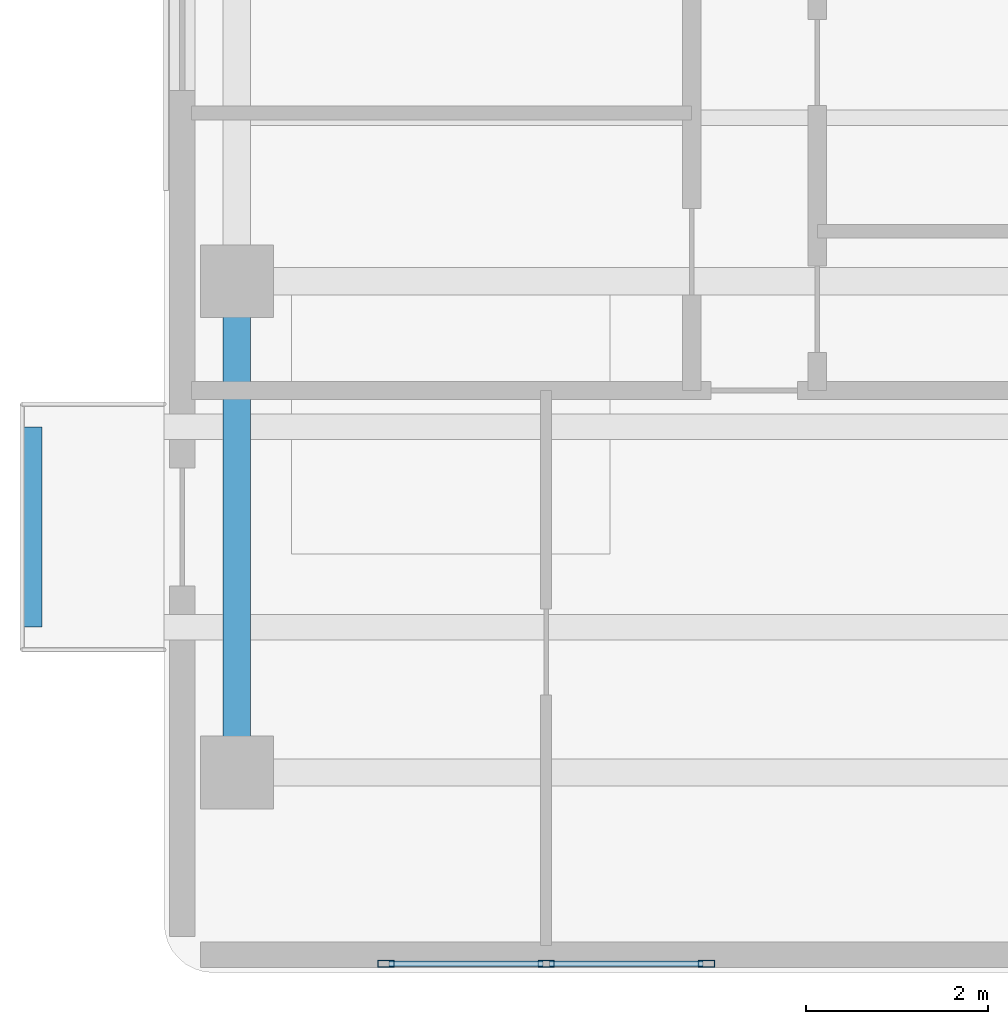
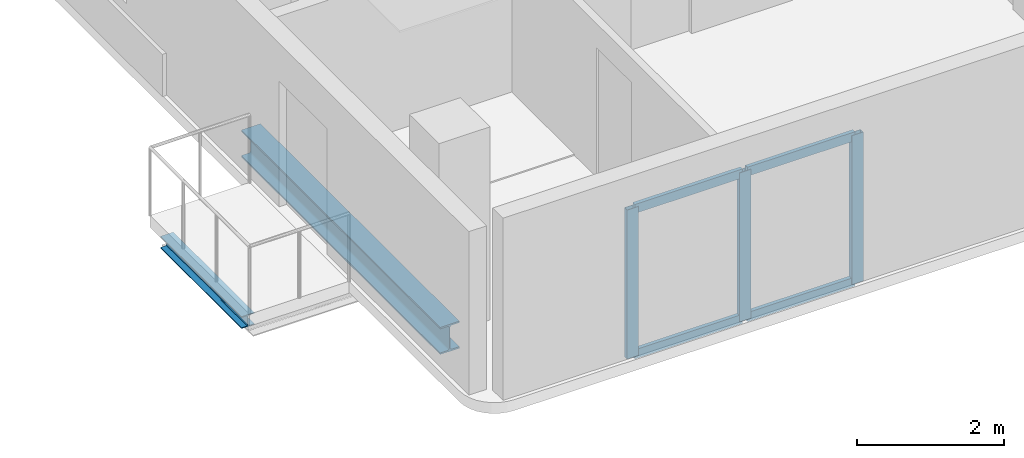
# One storey, part 2 of 11: 7 members, 2 beams, 1 element without a shape of its own.
"""IFC4 building model written with IfcOpenShell, lengths in metres."""

from ifc_helpers import new_model, si_unit, direction, frame, origin, origin_2d, place, context, subcontext, project, spatial, hollow_rectangle, i_section, extrude, material, material_profile, profile_set, type_object, element, aggregate, save


model = new_model("IFC4")

# Units and contexts
model_context = context("Model", 3, precision=1e-05, world=origin(), true_north=direction((0.0, 1.0)))
body_context = subcontext(model_context, "Body", "Model", "MODEL_VIEW")
ifc_project = project(units=[si_unit("LENGTHUNIT", "METRE"), si_unit("AREAUNIT", "SQUARE_METRE"), si_unit("VOLUMEUNIT", "CUBIC_METRE"), si_unit("PLANEANGLEUNIT", "RADIAN"), si_unit("MASSUNIT", "GRAM", prefix="KILO")], contexts=[model_context])

# Site, building, storey
site_placement = place(None, origin())
site = spatial("IfcSite", under=ifc_project, at=site_placement, CompositionType="ELEMENT")
building_placement = place(site_placement, origin())
building = spatial("IfcBuilding", under=site, at=building_placement, Name="Kuzgunbayir Cultural Tower", CompositionType="ELEMENT")
storey_placement = place(building_placement, frame((0.0, 0.0, 234.39990234375)))
storey = spatial("IfcBuildingStorey", under=building, at=storey_placement, Name="L69", CompositionType="ELEMENT", Elevation=234.39990234375)

# Beams
ifc_material_1 = material(Name="Steel S355J2", Category="steel")
ifc_material_profile_1 = material_profile(ifc_material_1, i_section(OverallWidth=0.199951171875, OverallDepth=0.199951171875, WebThickness=0.009033203125, FlangeThickness=0.014892578125, FilletRadius=0.01806640625, at=origin_2d()), Name="HEB 200")
ifc_profile_set_1 = profile_set([ifc_material_profile_1], Name="Steel S355J2")
beam_type_1 = type_object("IfcBeamType", Name="BM-CAN-HEB200", PredefinedType="BEAM", material=ifc_profile_set_1)
beam_1_placement = place(storey_placement, frame((3.159912109375, 14.199951171875, -0.2998046875), z_axis=(0.0, 1.0, 0.0), x_axis=(-1.0, 0.0, 0.0)))
element("IfcBeam", 1, at=beam_1_placement, inside=storey, type_object=beam_type_1, Name="L69 Balcony Edge Header BAL-L69-WA1", PredefinedType="BEAM", context=body_context, shape_type="SweptSolid", body=[
    extrude(i_section(OverallWidth=0.199951171875, OverallDepth=0.199951171875, WebThickness=0.009033203125, FlangeThickness=0.014892578125, FilletRadius=0.01806640625, at=origin_2d()), origin(), (0.0, 0.0, 1.0), 2.199951171875),
])
ifc_material_profile_2 = material_profile(ifc_material_1, i_section(OverallWidth=0.300048828125, OverallDepth=0.449951171875, WebThickness=0.013916015625, FlangeThickness=0.02587890625, FilletRadius=0.027099609375, at=origin_2d()), Name="HEB 450")
ifc_profile_set_2 = profile_set([ifc_material_profile_2], Name="Steel S355J2")
beam_type_2 = type_object("IfcBeamType", Name="BM-EXT-HEB450", PredefinedType="BEAM", material=ifc_profile_set_2)
beam_2_placement = place(storey_placement, frame((5.39990234375, 12.60009765625, -0.39990234375), z_axis=(0.0, 1.0, 0.0), x_axis=(-1.0, 0.0, 0.0)))
element("IfcBeam", 2, at=beam_2_placement, inside=storey, type_object=beam_type_2, Name="L69 Wing A West Girder 1", PredefinedType="BEAM", context=body_context, shape_type="SweptSolid", body=[
    extrude(i_section(OverallWidth=0.300048828125, OverallDepth=0.449951171875, WebThickness=0.013916015625, FlangeThickness=0.02587890625, FilletRadius=0.027099609375, at=origin_2d()), origin(), (0.0, 0.0, 1.0), 5.39990234375),
])

# Curtain wall, members
ifc_material_2 = material(Name="Anodised Aluminium Framing", Category="aluminium")
curtain_wall_type = type_object("IfcCurtainWallType", Name="CW06-OBSERVATORY", PredefinedType="NOTDEFINED", material=ifc_material_2)
curtain_wall_placement = place(storey_placement, origin())
curtain_wall = element("IfcCurtainWall", 3, at=curtain_wall_placement, inside=storey, type_object=curtain_wall_type, Name="L69 Crown Observatory South Curtain Wall", PredefinedType="NOTDEFINED")
ifc_material_profile_3 = material_profile(ifc_material_2, hollow_rectangle(XDim=0.074951171875, YDim=0.179931640625, WallThickness=0.0048828125, at=origin_2d()), Name="RHS 180x75x5")
ifc_profile_set_3 = profile_set([ifc_material_profile_3], Name="Anodised Aluminium Framing")
member_type_1 = type_object("IfcMemberType", Name="MEM-CW-MULLION-180", PredefinedType="MULLION", material=ifc_profile_set_3)
member_1_placement = place(storey_placement, frame((7.03759765625, 10.5, 0.0), z_axis=(0.0, 0.0, 1.0), x_axis=(0.0, 1.0, 0.0)))
member_1 = element("IfcMember", 4, at=member_1_placement, type_object=member_type_1, Name="CW06 mullion 1", PredefinedType="MULLION", context=body_context, shape_type="SweptSolid", body=[
    extrude(hollow_rectangle(XDim=0.074951171875, YDim=0.179931640625, WallThickness=0.0048828125, at=origin_2d()), origin(), (0.0, 0.0, 1.0), 2.47021484375),
])
member_2_placement = place(storey_placement, frame((8.800048828125, 10.5, 0.0), z_axis=(0.0, 0.0, 1.0), x_axis=(0.0, 1.0, 0.0)))
member_2 = element("IfcMember", 5, at=member_2_placement, type_object=member_type_1, Name="CW06 mullion 2", PredefinedType="MULLION", context=body_context, shape_type="SweptSolid", body=[
    extrude(hollow_rectangle(XDim=0.074951171875, YDim=0.179931640625, WallThickness=0.0048828125, at=origin_2d()), origin(), (0.0, 0.0, 1.0), 2.47021484375),
])
member_3_placement = place(storey_placement, frame((10.5625, 10.5, 0.0), z_axis=(0.0, 0.0, 1.0), x_axis=(0.0, 1.0, 0.0)))
member_3 = element("IfcMember", 6, at=member_3_placement, type_object=member_type_1, Name="CW06 mullion 3", PredefinedType="MULLION", context=body_context, shape_type="SweptSolid", body=[
    extrude(hollow_rectangle(XDim=0.074951171875, YDim=0.179931640625, WallThickness=0.0048828125, at=origin_2d()), origin(), (0.0, 0.0, 1.0), 2.47021484375),
])
ifc_material_profile_4 = material_profile(ifc_material_2, hollow_rectangle(XDim=0.06005859375, YDim=0.14990234375, WallThickness=0.00390625, at=origin_2d()), Name="RHS 150x60x4")
ifc_profile_set_4 = profile_set([ifc_material_profile_4], Name="Anodised Aluminium Framing")
member_type_2 = type_object("IfcMemberType", Name="MEM-CW-TRANSOM-150", PredefinedType="USERDEFINED", material=ifc_profile_set_4)
member_4_placement = place(storey_placement, frame((7.074951171875, 10.5, 0.030029296875), z_axis=(1.0, 0.0, 0.0), x_axis=(0.0, 1.0, 0.0)))
member_4 = element("IfcMember", 7, at=member_4_placement, type_object=member_type_2, Name="CW06 transom 1.1", ObjectType="TRANSOM", PredefinedType="USERDEFINED", context=body_context, shape_type="SweptSolid", body=[
    extrude(hollow_rectangle(XDim=0.06005859375, YDim=0.14990234375, WallThickness=0.00390625, at=origin_2d()), origin(), (0.0, 0.0, 1.0), 1.6875),
])
member_5_placement = place(storey_placement, frame((7.074951171875, 10.5, 2.440185546875), z_axis=(1.0, 0.0, 0.0), x_axis=(0.0, 1.0, 0.0)))
member_5 = element("IfcMember", 8, at=member_5_placement, type_object=member_type_2, Name="CW06 transom 1.2", ObjectType="TRANSOM", PredefinedType="USERDEFINED", context=body_context, shape_type="SweptSolid", body=[
    extrude(hollow_rectangle(XDim=0.06005859375, YDim=0.14990234375, WallThickness=0.00390625, at=origin_2d()), origin(), (0.0, 0.0, 1.0), 1.6875),
])
member_6_placement = place(storey_placement, frame((8.83740234375, 10.5, 0.030029296875), z_axis=(1.0, 0.0, 0.0), x_axis=(0.0, 1.0, 0.0)))
member_6 = element("IfcMember", 9, at=member_6_placement, type_object=member_type_2, Name="CW06 transom 2.1", ObjectType="TRANSOM", PredefinedType="USERDEFINED", context=body_context, shape_type="SweptSolid", body=[
    extrude(hollow_rectangle(XDim=0.06005859375, YDim=0.14990234375, WallThickness=0.00390625, at=origin_2d()), origin(), (0.0, 0.0, 1.0), 1.6875),
])
member_7_placement = place(storey_placement, frame((8.83740234375, 10.5, 2.440185546875), z_axis=(1.0, 0.0, 0.0), x_axis=(0.0, 1.0, 0.0)))
member_7 = element("IfcMember", 10, at=member_7_placement, type_object=member_type_2, Name="CW06 transom 2.2", ObjectType="TRANSOM", PredefinedType="USERDEFINED", context=body_context, shape_type="SweptSolid", body=[
    extrude(hollow_rectangle(XDim=0.06005859375, YDim=0.14990234375, WallThickness=0.00390625, at=origin_2d()), origin(), (0.0, 0.0, 1.0), 1.6875),
])
aggregate(curtain_wall, [member_1, member_2, member_3, member_4, member_5, member_6, member_7])

save(model, "model.ifc")
